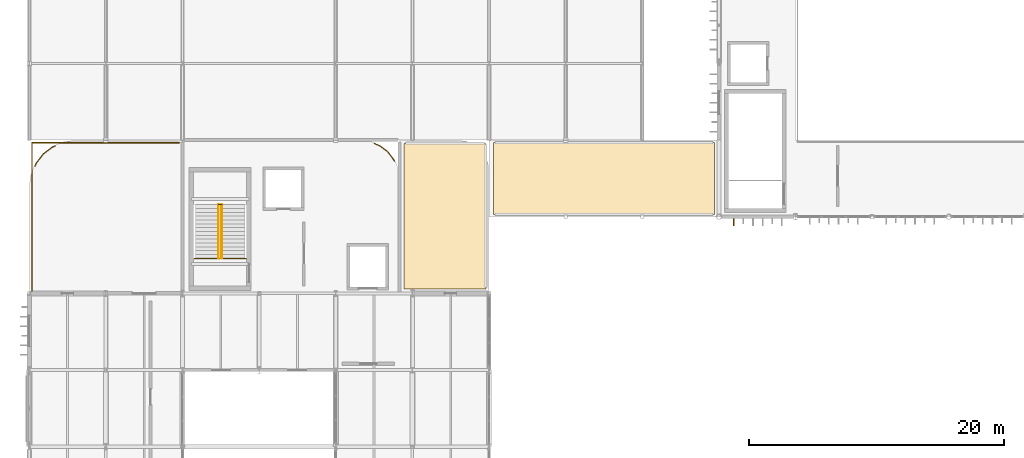
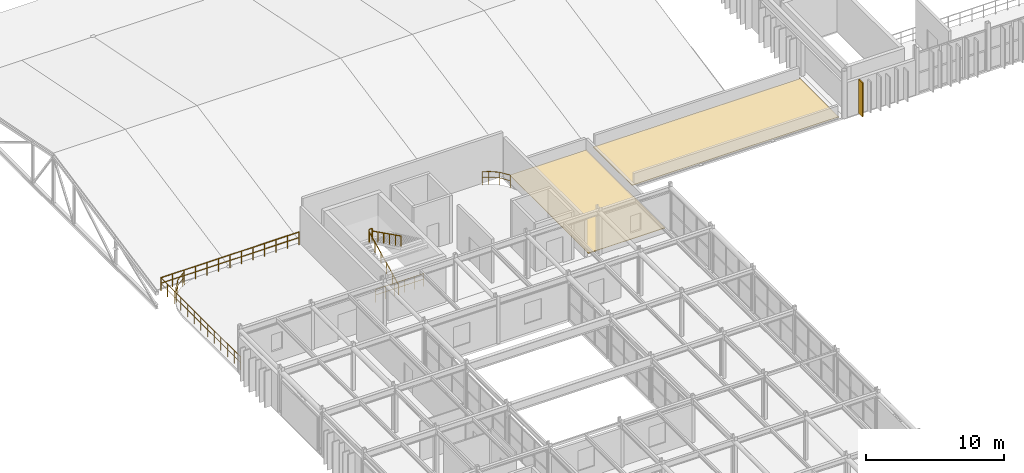
# One storey, part 76 of 83: 8 railings, 3 coverings.
"""IFC4 building model written with IfcOpenShell, lengths in metres."""

from ifc_helpers import new_model, si_unit, direction, frame, origin, origin_2d, place, context, subcontext, project, spatial, polyline, rectangle, circle, outline, extrude, material, layer, layer_set, type_object, element, save


model = new_model("IFC4")

# Units and contexts
model_context = context("Model", 3, precision=1e-05, world=origin(), true_north=direction((0.0, 1.0)))
body_context = subcontext(model_context, "Body", "Model", "MODEL_VIEW")
ifc_project = project(units=[si_unit("LENGTHUNIT", "METRE"), si_unit("AREAUNIT", "SQUARE_METRE"), si_unit("VOLUMEUNIT", "CUBIC_METRE"), si_unit("PLANEANGLEUNIT", "RADIAN"), si_unit("MASSUNIT", "GRAM", prefix="KILO")], contexts=[model_context])

# Site, building, storey
site_placement = place(None, origin())
site = spatial("IfcSite", under=ifc_project, at=site_placement, CompositionType="ELEMENT")
building_placement = place(site_placement, origin())
building = spatial("IfcBuilding", under=site, at=building_placement, Name="Varnakota Square Police Headquarters", CompositionType="ELEMENT")
storey_placement = place(building_placement, frame((0.0, 0.0, 18.0)))
storey = spatial("IfcBuildingStorey", under=building, at=storey_placement, Name="L04", CompositionType="ELEMENT", Elevation=18.0)

# Coverings
ifc_material_1 = material(Name="White Anodised Aluminium Vertical Facade Blade 550", Category="aluminium")
ifc_layer_1 = layer(ifc_material_1, 0.0849609375, Name="White Anodised Aluminium Vertical Facade Blade 550")
ifc_layer_set_1 = layer_set([ifc_layer_1], Name="White Anodised Aluminium Vertical Facade Blade 550")
covering_type_1 = type_object("IfcCoveringType", Name="COV-FIN-550", PredefinedType="CLADDING", material=ifc_layer_set_1)
covering_1_placement = place(storey_placement, frame((61.1640625, 68.590087890625, 0.0400390625), z_axis=(0.0, 0.0, 1.0), x_axis=(1.0, 0.0, 0.0)))
element("IfcCovering", 1, at=covering_1_placement, inside=storey, type_object=covering_type_1, Name="Vertical aluminium facade fin FIN-1361", PredefinedType="CLADDING", context=body_context, shape_type="SweptSolid", body=[
    extrude(rectangle(XDim=0.0849609375, YDim=0.550048828125, at=origin_2d()), origin(), (0.0, 0.0, 1.0), 3.010009765625),
])
ifc_material_2 = material(Name="High-Albedo White TPO Waterproofing Membrane")
ifc_layer_2 = layer(ifc_material_2, 0.0400390625, Name="High-Albedo White TPO Waterproofing Membrane")
ifc_layer_set_2 = layer_set([ifc_layer_2], Name="High-Albedo White TPO Waterproofing Membrane")
covering_type_2 = type_object("IfcCoveringType", Name="COV-RF-MEM", PredefinedType="ROOFING", material=ifc_layer_set_2)
covering_2_placement = place(storey_placement, origin())
element("IfcCovering", 2, at=covering_2_placement, inside=storey, type_object=covering_type_2, Name="Roof waterproofing membrane RF-L04-BRG1", PredefinedType="ROOFING", context=body_context, shape_type="SweptSolid", body=[
    extrude(outline(polyline([(42.35009765625, 69.199951171875), (59.64990234375, 69.199951171875), (59.64990234375, 74.800048828125), (42.35009765625, 74.800048828125), (42.35009765625, 69.199951171875)])), origin(), (0.0, 0.0, 1.0), 0.0400390625),
])
covering_3_placement = place(storey_placement, origin())
element("IfcCovering", 3, at=covering_3_placement, inside=storey, type_object=covering_type_2, Name="Roof waterproofing membrane RF-L04-V6E", PredefinedType="ROOFING", context=body_context, shape_type="SweptSolid", body=[
    extrude(outline(polyline([(35.35009765625, 63.35009765625), (41.75, 63.35009765625), (41.75, 74.75), (35.35009765625, 74.75), (35.35009765625, 63.35009765625)])), origin(), (0.0, 0.0, 1.0), 0.0400390625),
])

# Railings
ifc_material_3 = material(Name="Galvanised Powder-Coated Steel Guardrail", Category="steel")
railing_type_1 = type_object("IfcRailingType", Name="RL-BAL-1150", PredefinedType="BALUSTRADE", material=ifc_material_3)
railing_1_placement = place(storey_placement, frame((17.75, 74.800048828125, 0.0)))
element("IfcRailing", 4, at=railing_1_placement, inside=storey, type_object=railing_type_1, Name="Terrace safety balustrade GD-L04-003", PredefinedType="BALUSTRADE", context=body_context, shape_type="SweptSolid", body=[
    extrude(circle(Radius=0.02392578125, at=origin_2d()), frame((0.0, 0.0, 1.1259765625), z_axis=(-1.0, 0.0, 0.0), x_axis=(0.0, -1.0, 0.0)), (0.0, 0.0, 1.0), 11.550048828125),
    extrude(circle(Radius=0.01806640625, at=origin_2d()), frame((0.0, 0.0, 0.63232421875), z_axis=(-1.0, 0.0, 0.0), x_axis=(0.0, -1.0, 0.0)), (0.0, 0.0, 1.0), 11.550048828125),
    extrude(circle(Radius=0.02099609375, at=origin_2d()), origin(), (0.0, 0.0, 1.0), 1.101806640625),
    extrude(circle(Radius=0.02099609375, at=origin_2d()), frame((-0.96240234375, 0.0, 0.0)), (0.0, 0.0, 1.0), 1.101806640625),
    extrude(circle(Radius=0.02099609375, at=origin_2d()), frame((-1.925048828125, 0.0, 0.0)), (0.0, 0.0, 1.0), 1.101806640625),
    extrude(circle(Radius=0.02099609375, at=origin_2d()), frame((-2.887451171875, 0.0, 0.0)), (0.0, 0.0, 1.0), 1.101806640625),
    extrude(circle(Radius=0.02099609375, at=origin_2d()), frame((-3.85009765625, 0.0, 0.0)), (0.0, 0.0, 1.0), 1.101806640625),
    extrude(circle(Radius=0.02099609375, at=origin_2d()), frame((-4.8125, 0.0, 0.0)), (0.0, 0.0, 1.0), 1.101806640625),
    extrude(circle(Radius=0.02099609375, at=origin_2d()), frame((-5.77490234375, 0.0, 0.0)), (0.0, 0.0, 1.0), 1.101806640625),
    extrude(circle(Radius=0.02099609375, at=origin_2d()), frame((-6.737548828125, 0.0, 0.0)), (0.0, 0.0, 1.0), 1.101806640625),
    extrude(circle(Radius=0.02099609375, at=origin_2d()), frame((-7.699951171875, 0.0, 0.0)), (0.0, 0.0, 1.0), 1.101806640625),
    extrude(circle(Radius=0.02099609375, at=origin_2d()), frame((-8.66259765625, 0.0, 0.0)), (0.0, 0.0, 1.0), 1.101806640625),
    extrude(circle(Radius=0.02099609375, at=origin_2d()), frame((-9.625, 0.0, 0.0)), (0.0, 0.0, 1.0), 1.101806640625),
    extrude(circle(Radius=0.02099609375, at=origin_2d()), frame((-10.587646484375, 0.0, 0.0)), (0.0, 0.0, 1.0), 1.101806640625),
    extrude(circle(Radius=0.02099609375, at=origin_2d()), frame((-11.550048828125, 0.0, 0.0)), (0.0, 0.0, 1.0), 1.101806640625),
])
railing_2_placement = place(storey_placement, frame((6.199951171875, 74.800048828125, 0.0)))
element("IfcRailing", 5, at=railing_2_placement, inside=storey, type_object=railing_type_1, Name="Terrace safety balustrade GD-L04-004", PredefinedType="BALUSTRADE", context=body_context, shape_type="SweptSolid", body=[
    extrude(circle(Radius=0.02392578125, at=origin_2d()), frame((0.0, 0.0, 1.1259765625), z_axis=(0.0, -1.0, 0.0), x_axis=(1.0, 0.0, 0.0)), (0.0, 0.0, 1.0), 11.60009765625),
    extrude(circle(Radius=0.01806640625, at=origin_2d()), frame((0.0, 0.0, 0.63232421875), z_axis=(0.0, -1.0, 0.0), x_axis=(1.0, 0.0, 0.0)), (0.0, 0.0, 1.0), 11.60009765625),
    extrude(circle(Radius=0.02099609375, at=origin_2d()), origin(), (0.0, 0.0, 1.0), 1.101806640625),
    extrude(circle(Radius=0.02099609375, at=origin_2d()), frame((0.0, -0.966796875, 0.0)), (0.0, 0.0, 1.0), 1.101806640625),
    extrude(circle(Radius=0.02099609375, at=origin_2d()), frame((0.0, -1.933349609375, 0.0)), (0.0, 0.0, 1.0), 1.101806640625),
    extrude(circle(Radius=0.02099609375, at=origin_2d()), frame((0.0, -2.89990234375, 0.0)), (0.0, 0.0, 1.0), 1.101806640625),
    extrude(circle(Radius=0.02099609375, at=origin_2d()), frame((0.0, -3.86669921875, 0.0)), (0.0, 0.0, 1.0), 1.101806640625),
    extrude(circle(Radius=0.02099609375, at=origin_2d()), frame((0.0, -4.83349609375, 0.0)), (0.0, 0.0, 1.0), 1.101806640625),
    extrude(circle(Radius=0.02099609375, at=origin_2d()), frame((0.0, -5.800048828125, 0.0)), (0.0, 0.0, 1.0), 1.101806640625),
    extrude(circle(Radius=0.02099609375, at=origin_2d()), frame((0.0, -6.7666015625, 0.0)), (0.0, 0.0, 1.0), 1.101806640625),
    extrude(circle(Radius=0.02099609375, at=origin_2d()), frame((0.0, -7.7333984375, 0.0)), (0.0, 0.0, 1.0), 1.101806640625),
    extrude(circle(Radius=0.02099609375, at=origin_2d()), frame((0.0, -8.7001953125, 0.0)), (0.0, 0.0, 1.0), 1.101806640625),
    extrude(circle(Radius=0.02099609375, at=origin_2d()), frame((0.0, -9.666748046875, 0.0)), (0.0, 0.0, 1.0), 1.101806640625),
    extrude(circle(Radius=0.02099609375, at=origin_2d()), frame((0.0, -10.63330078125, 0.0)), (0.0, 0.0, 1.0), 1.101806640625),
    extrude(circle(Radius=0.02099609375, at=origin_2d()), frame((0.0, -11.60009765625, 0.0)), (0.0, 0.0, 1.0), 1.101806640625),
])
railing_3_placement = place(storey_placement, frame((6.43994140625, 72.96728515625, 0.0)))
element("IfcRailing", 6, at=railing_3_placement, inside=storey, type_object=railing_type_1, Name="Perimeter edge safety guard GD-AUTO-L04-086", PredefinedType="BALUSTRADE", context=body_context, shape_type="SweptSolid", body=[
    extrude(circle(Radius=0.02392578125, at=origin_2d()), frame((0.0, 0.0, 1.1259765625), z_axis=(0.382607791571, 0.923910860327, 0.0), x_axis=(-0.923910860327, 0.382607791571, 0.0)), (0.0, 0.0, 1.0), 0.224609375),
    extrude(circle(Radius=0.01806640625, at=origin_2d()), frame((0.0, 0.0, 0.63232421875), z_axis=(0.382607791571, 0.923910860327, 0.0), x_axis=(-0.923910860327, 0.382607791571, 0.0)), (0.0, 0.0, 1.0), 0.224609375),
    extrude(circle(Radius=0.02392578125, at=origin_2d()), frame((0.0859375, 0.20751953125, 1.1259765625), z_axis=(0.608857343997, 0.793279732919, 0.0), x_axis=(-0.793279732919, 0.608857343997, 0.0)), (0.0, 0.0, 1.0), 0.9267578125),
    extrude(circle(Radius=0.01806640625, at=origin_2d()), frame((0.0859375, 0.20751953125, 0.63232421875), z_axis=(0.608857343997, 0.793279732919, 0.0), x_axis=(-0.793279732919, 0.608857343997, 0.0)), (0.0, 0.0, 1.0), 0.9267578125),
    extrude(circle(Radius=0.02392578125, at=origin_2d()), frame((0.650146484375, 0.942626953125, 1.1259765625), z_axis=(0.793279732919, 0.608857343997, 0.0), x_axis=(-0.608857343997, 0.793279732919, 0.0)), (0.0, 0.0, 1.0), 0.9267578125),
    extrude(circle(Radius=0.01806640625, at=origin_2d()), frame((0.650146484375, 0.942626953125, 0.63232421875), z_axis=(0.793279732919, 0.608857343997, 0.0), x_axis=(-0.608857343997, 0.793279732919, 0.0)), (0.0, 0.0, 1.0), 0.9267578125),
    extrude(circle(Radius=0.02392578125, at=origin_2d()), frame((1.38525390625, 1.5068359375, 1.1259765625), z_axis=(0.923910860327, 0.382607791571, 0.0), x_axis=(-0.382607791571, 0.923910860327, 0.0)), (0.0, 0.0, 1.0), 0.224609375),
    extrude(circle(Radius=0.01806640625, at=origin_2d()), frame((1.38525390625, 1.5068359375, 0.63232421875), z_axis=(0.923910860327, 0.382607791571, 0.0), x_axis=(-0.382607791571, 0.923910860327, 0.0)), (0.0, 0.0, 1.0), 0.224609375),
    extrude(circle(Radius=0.02099609375, at=origin_2d()), origin(), (0.0, 0.0, 1.0), 1.101806640625),
    extrude(circle(Radius=0.02099609375, at=origin_2d()), frame((0.0859375, 0.20751953125, 0.0)), (0.0, 0.0, 1.0), 1.101806640625),
    extrude(circle(Radius=0.02099609375, at=origin_2d()), frame((0.650146484375, 0.942626953125, 0.0)), (0.0, 0.0, 1.0), 1.101806640625),
    extrude(circle(Radius=0.02099609375, at=origin_2d()), frame((1.38525390625, 1.5068359375, 0.0)), (0.0, 0.0, 1.0), 1.101806640625),
    extrude(circle(Radius=0.02099609375, at=origin_2d()), frame((1.5927734375, 1.5927734375, 0.0)), (0.0, 0.0, 1.0), 1.101806640625),
])
railing_4_placement = place(storey_placement, frame((33.02685546875, 74.739990234375, 0.0)))
element("IfcRailing", 7, at=railing_4_placement, inside=storey, type_object=railing_type_1, Name="Perimeter edge safety guard GD-AUTO-L04-087", PredefinedType="BALUSTRADE", context=body_context, shape_type="SweptSolid", body=[
    extrude(circle(Radius=0.02392578125, at=origin_2d()), frame((0.0, 0.0, 1.1259765625), z_axis=(0.923894108428, -0.382648241093, 0.0), x_axis=(0.382648241093, 0.923894108428, 0.0)), (0.0, 0.0, 1.0), 0.48486328125),
    extrude(circle(Radius=0.01806640625, at=origin_2d()), frame((0.0, 0.0, 0.63232421875), z_axis=(0.923894108428, -0.382648241093, 0.0), x_axis=(0.382648241093, 0.923894108428, 0.0)), (0.0, 0.0, 1.0), 0.48486328125),
    extrude(circle(Radius=0.02392578125, at=origin_2d()), frame((0.447998046875, -0.185546875, 1.1259765625), z_axis=(0.793330694412, -0.608790940556, 0.0), x_axis=(0.608790940556, 0.793330694412, 0.0)), (0.0, 0.0, 1.0), 0.77001953125),
    extrude(circle(Radius=0.01806640625, at=origin_2d()), frame((0.447998046875, -0.185546875, 0.63232421875), z_axis=(0.793330694412, -0.608790940556, 0.0), x_axis=(0.608790940556, 0.793330694412, 0.0)), (0.0, 0.0, 1.0), 0.77001953125),
    extrude(circle(Radius=0.02392578125, at=origin_2d()), frame((1.058837890625, -0.654296875, 1.1259765625), z_axis=(0.580820898393, -0.814031377767, 0.0), x_axis=(0.814031377767, 0.580820898393, 0.0)), (0.0, 0.0, 1.0), 0.8857421875),
    extrude(circle(Radius=0.01806640625, at=origin_2d()), frame((1.058837890625, -0.654296875, 0.63232421875), z_axis=(0.580820898393, -0.814031377767, 0.0), x_axis=(0.814031377767, 0.580820898393, 0.0)), (0.0, 0.0, 1.0), 0.8857421875),
    extrude(circle(Radius=0.02099609375, at=origin_2d()), origin(), (0.0, 0.0, 1.0), 1.101806640625),
    extrude(circle(Radius=0.02099609375, at=origin_2d()), frame((0.447998046875, -0.185546875, 0.0)), (0.0, 0.0, 1.0), 1.101806640625),
    extrude(circle(Radius=0.02099609375, at=origin_2d()), frame((1.058837890625, -0.654296875, 0.0)), (0.0, 0.0, 1.0), 1.101806640625),
    extrude(circle(Radius=0.02099609375, at=origin_2d()), frame((1.5732421875, -1.375244140625, 0.0)), (0.0, 0.0, 1.0), 1.101806640625),
])
ifc_material_4 = material(Name="Brushed Stainless Steel Tubular Handrail", Category="steel")
railing_type_2 = type_object("IfcRailingType", Name="RL-HND-920", PredefinedType="HANDRAIL", material=ifc_material_4)
railing_5_placement = place(storey_placement, frame((20.830078125, 65.75, 0.0)))
element("IfcRailing", 8, at=railing_5_placement, inside=storey, type_object=railing_type_2, Name="Stair flight handrail HR-L04-063", PredefinedType="HANDRAIL", context=body_context, shape_type="SweptSolid", body=[
    extrude(circle(Radius=0.02392578125, at=origin_2d()), frame((0.0, 0.0, 0.89599609375), z_axis=(0.0, 0.894447983895, 0.447172007292), x_axis=(-1.0, 0.0, 0.0)), (0.0, 0.0, 1.0), 4.6962890625),
    extrude(circle(Radius=0.02099609375, at=origin_2d()), origin(), (0.0, 0.0, 1.0), 0.871826171875),
    extrude(circle(Radius=0.02099609375, at=origin_2d()), frame((0.0, 0.840087890625, 0.419921875)), (0.0, 0.0, 1.0), 0.871826171875),
    extrude(circle(Radius=0.02099609375, at=origin_2d()), frame((0.0, 1.68017578125, 0.840087890625)), (0.0, 0.0, 1.0), 0.871826171875),
    extrude(circle(Radius=0.02099609375, at=origin_2d()), frame((0.0, 2.5205078125, 1.260009765625)), (0.0, 0.0, 1.0), 0.871826171875),
    extrude(circle(Radius=0.02099609375, at=origin_2d()), frame((0.0, 3.360595703125, 1.68017578125)), (0.0, 0.0, 1.0), 0.871826171875),
    extrude(circle(Radius=0.02099609375, at=origin_2d()), frame((0.0, 4.20068359375, 2.10009765625)), (0.0, 0.0, 1.0), 0.871826171875),
])
railing_6_placement = place(storey_placement, frame((21.070068359375, 69.95068359375, 2.10009765625)))
element("IfcRailing", 9, at=railing_6_placement, inside=storey, type_object=railing_type_2, Name="Stair flight handrail HR-L04-064", PredefinedType="HANDRAIL", context=body_context, shape_type="SweptSolid", body=[
    extrude(circle(Radius=0.02392578125, at=origin_2d()), frame((0.0, 0.0, 0.89599609375), z_axis=(0.0, -0.894468775824, 0.447130416184), x_axis=(1.0, 0.0, 0.0)), (0.0, 0.0, 1.0), 4.6962890625),
    extrude(circle(Radius=0.02099609375, at=origin_2d()), origin(), (0.0, 0.0, 1.0), 0.871826171875),
    extrude(circle(Radius=0.02099609375, at=origin_2d()), frame((0.0, -0.840087890625, 0.419921875)), (0.0, 0.0, 1.0), 0.871826171875),
    extrude(circle(Radius=0.02099609375, at=origin_2d()), frame((0.0, -1.68017578125, 0.83984375)), (0.0, 0.0, 1.0), 0.871826171875),
    extrude(circle(Radius=0.02099609375, at=origin_2d()), frame((0.0, -2.5205078125, 1.260009765625)), (0.0, 0.0, 1.0), 0.871826171875),
    extrude(circle(Radius=0.02099609375, at=origin_2d()), frame((0.0, -3.360595703125, 1.679931640625)), (0.0, 0.0, 1.0), 0.871826171875),
    extrude(circle(Radius=0.02099609375, at=origin_2d()), frame((0.0, -4.20068359375, 2.099853515625)), (0.0, 0.0, 1.0), 0.871826171875),
])
ifc_material_5 = material(Name="Laminated Glass and Stainless Steel Balustrade", Category="steel")
railing_type_3 = type_object("IfcRailingType", Name="RL-INT-1150", PredefinedType="BALUSTRADE", material=ifc_material_5)
railing_7_placement = place(storey_placement, frame((18.93994140625, 65.75, 0.0)))
element("IfcRailing", 10, at=railing_7_placement, inside=storey, type_object=railing_type_3, Name="Stair well safety guard C5 L04", PredefinedType="BALUSTRADE", context=body_context, shape_type="SweptSolid", body=[
    extrude(circle(Radius=0.02392578125, at=origin_2d()), frame((0.0, 0.0, 1.1259765625), z_axis=(1.0, 0.0, 0.0), x_axis=(0.0, 1.0, 0.0)), (0.0, 0.0, 1.0), 4.02001953125),
    extrude(circle(Radius=0.01806640625, at=origin_2d()), frame((0.0, 0.0, 0.63232421875), z_axis=(1.0, 0.0, 0.0), x_axis=(0.0, 1.0, 0.0)), (0.0, 0.0, 1.0), 4.02001953125),
    extrude(circle(Radius=0.02099609375, at=origin_2d()), origin(), (0.0, 0.0, 1.0), 1.101806640625),
    extrude(circle(Radius=0.02099609375, at=origin_2d()), frame((0.803955078125, 0.0, 0.0)), (0.0, 0.0, 1.0), 1.101806640625),
    extrude(circle(Radius=0.02099609375, at=origin_2d()), frame((1.60791015625, 0.0, 0.0)), (0.0, 0.0, 1.0), 1.101806640625),
    extrude(circle(Radius=0.02099609375, at=origin_2d()), frame((2.412109375, 0.0, 0.0)), (0.0, 0.0, 1.0), 1.101806640625),
    extrude(circle(Radius=0.02099609375, at=origin_2d()), frame((3.216064453125, 0.0, 0.0)), (0.0, 0.0, 1.0), 1.101806640625),
    extrude(circle(Radius=0.02099609375, at=origin_2d()), frame((4.02001953125, 0.0, 0.0)), (0.0, 0.0, 1.0), 1.101806640625),
])
railing_8_placement = place(storey_placement, frame((20.820068359375, 69.95068359375, 2.10009765625)))
element("IfcRailing", 11, at=railing_8_placement, inside=storey, type_object=railing_type_3, Name="Half-landing well guard C5 L04", PredefinedType="BALUSTRADE", context=body_context, shape_type="SweptSolid", body=[
    extrude(circle(Radius=0.02392578125, at=origin_2d()), frame((0.0, 0.0, 1.1259765625), z_axis=(1.0, 0.0, 0.0), x_axis=(0.0, 1.0, 0.0)), (0.0, 0.0, 1.0), 0.260009765625),
    extrude(circle(Radius=0.01806640625, at=origin_2d()), frame((0.0, 0.0, 0.63232421875), z_axis=(1.0, 0.0, 0.0), x_axis=(0.0, 1.0, 0.0)), (0.0, 0.0, 1.0), 0.260009765625),
    extrude(circle(Radius=0.02099609375, at=origin_2d()), origin(), (0.0, 0.0, 1.0), 1.101806640625),
    extrude(circle(Radius=0.02099609375, at=origin_2d()), frame((0.260009765625, 0.0, 0.0)), (0.0, 0.0, 1.0), 1.101806640625),
])

save(model, "model.ifc")
